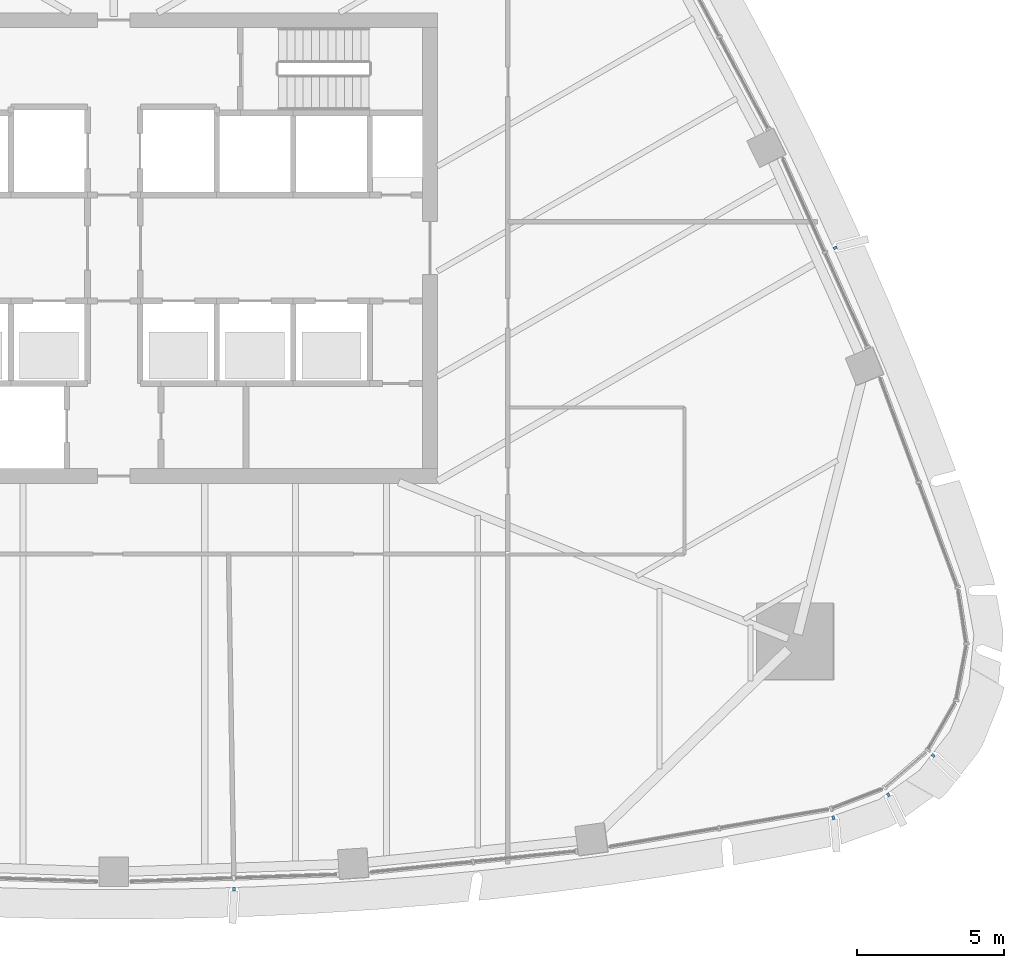
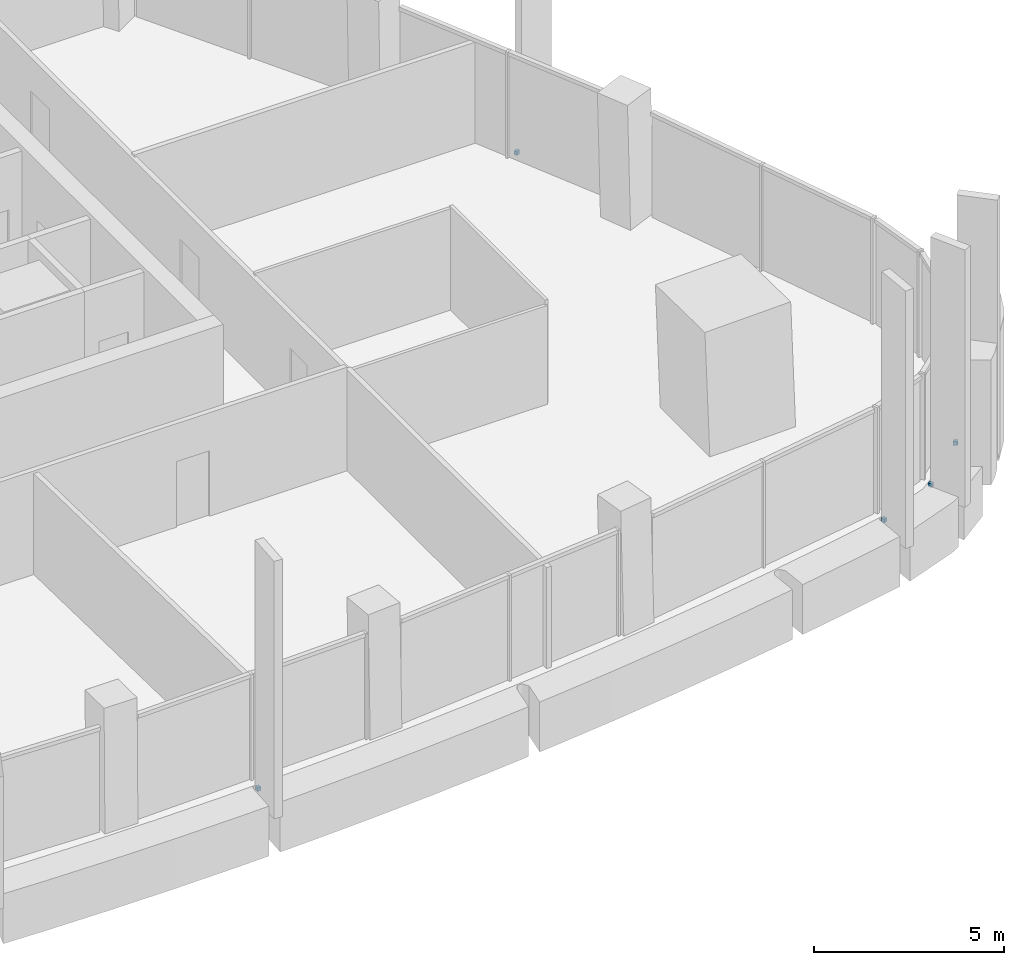
# One storey, part 14 of 19: 5 discrete accessories.
"""IFC4 building model written with IfcOpenShell, lengths in metres."""

from ifc_helpers import new_model, si_unit, direction, frame, origin, origin_2d, place, context, subcontext, project, spatial, rectangle, extrude, material, type_object, element, save


model = new_model("IFC4")

# Units and contexts
model_context = context("Model", 3, precision=1e-05, world=origin(), true_north=direction((0.0, 1.0)))
body_context = subcontext(model_context, "Body", "Model", "MODEL_VIEW")
ifc_project = project(units=[si_unit("LENGTHUNIT", "METRE"), si_unit("AREAUNIT", "SQUARE_METRE"), si_unit("VOLUMEUNIT", "CUBIC_METRE"), si_unit("PLANEANGLEUNIT", "RADIAN"), si_unit("MASSUNIT", "GRAM", prefix="KILO")], contexts=[model_context])

# Site, building, storey
site_placement = place(None, origin())
site = spatial("IfcSite", under=ifc_project, at=site_placement, CompositionType="ELEMENT")
building_placement = place(site_placement, origin())
building = spatial("IfcBuilding", under=site, at=building_placement, Name="Sierra Prisma Convention Tower", CompositionType="ELEMENT")
storey_placement = place(building_placement, frame((0.0, 0.0, 193.800048828125)))
storey = spatial("IfcBuildingStorey", under=building, at=storey_placement, Name="L43", CompositionType="ELEMENT", Elevation=193.800048828125)

# Discrete accessories
ifc_material = material(Name="Stainless steel 316", Category="steel")
discrete_accessory_type = type_object("IfcDiscreteAccessoryType", Name="Fin bracket", PredefinedType="BRACKET", material=ifc_material)
for number, where, z_axis, x_axis, name in (
    (1, (4.0908203125, -21.79541015625, -0.135009765625), (0.0, 0.0, 1.0), (0.032513591467, -0.99947129342, 0.0), "Fin bracket L43.11 base"),
    (2, (24.462646484375, -19.364013671875, -0.135009765625), (0.0, 0.0, 1.0), (0.337165430061, -0.941445416778, 0.0), "Fin bracket L43.18 base"),
    (3, (26.335205078125, -18.5849609375, -0.135009765625), (0.0, 0.0, 1.0), (0.585277015926, -0.810833407445, 0.0), "Fin bracket L43.19 base"),
    (4, (27.85546875, -17.249755859375, -0.135009765625), (0.0, 0.0, 1.0), (0.787374792343, -0.616474603193, 0.0), "Fin bracket L43.20 base"),
    (5, (24.522705078125, 0.0126953125, -0.135009765625), (0.0, 0.0, 1.0), (0.910609093044, 0.413268774124, 0.0), "Fin bracket L43.27 base"),
):
    element("IfcDiscreteAccessory", number, at=place(storey_placement, frame(where, z_axis=z_axis, x_axis=x_axis)), inside=storey, type_object=discrete_accessory_type, Name=name, PredefinedType="BRACKET", context=body_context, shape_type="SweptSolid", body=[
        extrude(rectangle(XDim=0.1201171875, YDim=0.10009765625, at=origin_2d()), origin(), (0.0, 0.0, 1.0), 0.1201171875),
    ])

save(model, "model.ifc")
